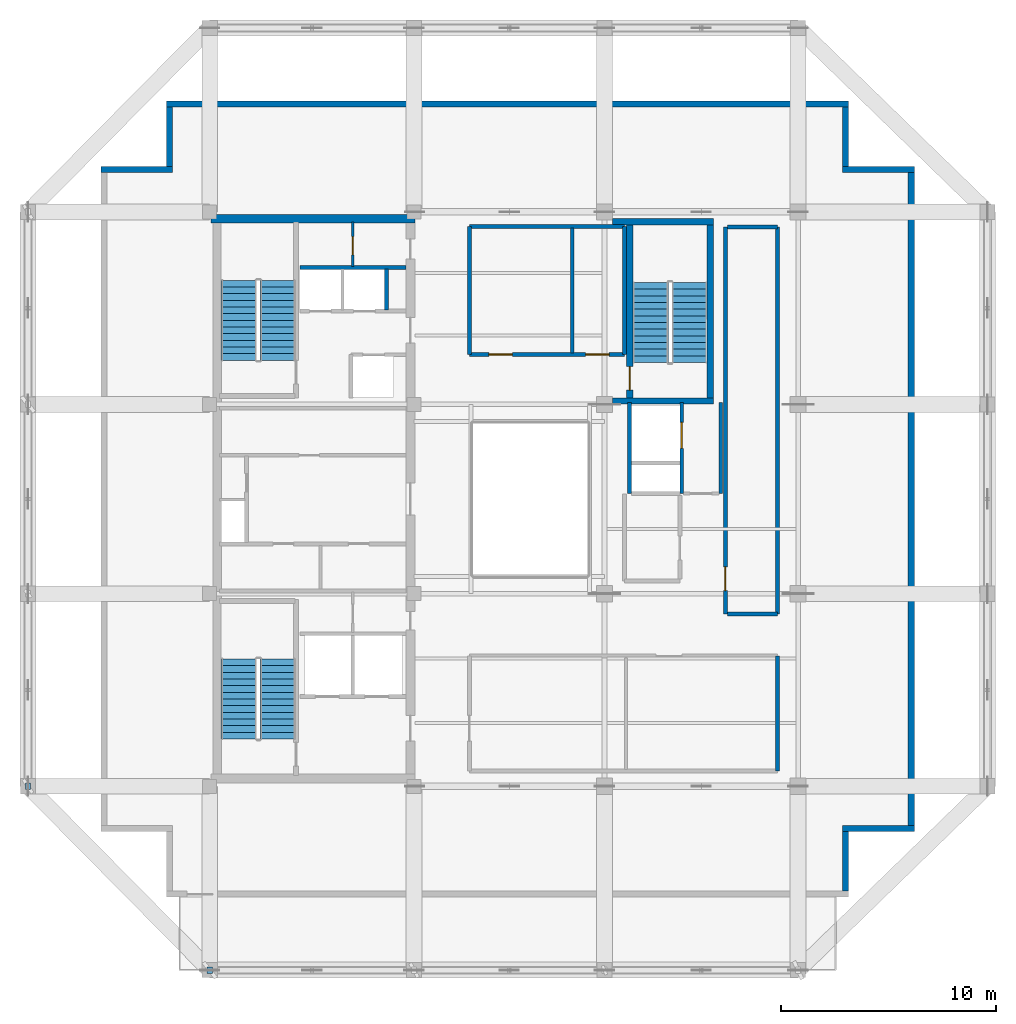
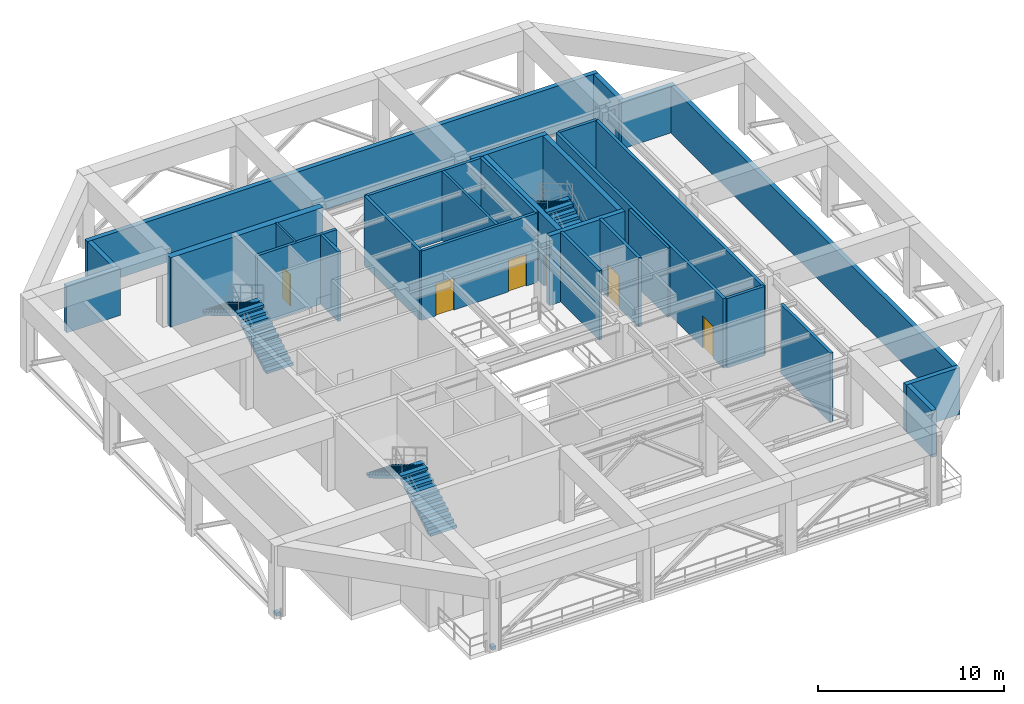
# One storey, part 5 of 10: 29 walls, 6 doors, 6 stair flights, 2 discrete accessories, 6 openings, 3 elements without a shape of their own.
"""IFC4 building model written with IfcOpenShell, lengths in metres."""

from ifc_helpers import new_model, si_unit, direction, frame, frame_2d, origin, origin_2d, place, context, subcontext, project, spatial, polyline, rectangle, outline, extrude, material, layer, layer_set, type_object, element, fill, aggregate, save


model = new_model("IFC4")

# Units and contexts
model_context = context("Model", 3, precision=1e-05, world=origin(), true_north=direction((0.0, 1.0)))
body_context = subcontext(model_context, "Body", "Model", "MODEL_VIEW")
ifc_project = project(units=[si_unit("LENGTHUNIT", "METRE"), si_unit("AREAUNIT", "SQUARE_METRE"), si_unit("VOLUMEUNIT", "CUBIC_METRE"), si_unit("PLANEANGLEUNIT", "RADIAN"), si_unit("MASSUNIT", "GRAM", prefix="KILO")], contexts=[model_context])

# Site, building, storey
site_placement = place(None, origin())
site = spatial("IfcSite", under=ifc_project, at=site_placement, CompositionType="ELEMENT")
building_placement = place(site_placement, origin())
building = spatial("IfcBuilding", under=site, at=building_placement, Name="Kundavana Baori Tower", CompositionType="ELEMENT")
storey_placement = place(building_placement, frame((0.0, 0.0, 307.699951171875)))
storey = spatial("IfcBuildingStorey", under=building, at=storey_placement, Name="L76", CompositionType="ELEMENT", Elevation=307.699951171875)

# Walls
ifc_material_1 = material(Name="Concrete C50/60", Category="concrete")
ifc_layer_1 = layer(ifc_material_1, 0.39990234375, Name="WL-CORE-400")
ifc_layer_set_1 = layer_set([ifc_layer_1], Name="Concrete C50/60")
wall_type_1 = type_object("IfcWallType", Name="WL-CORE-400", PredefinedType="SHEAR", material=ifc_layer_set_1)
wall_1_placement = place(storey_placement, frame((15.5, 41.639892578125, 0.0), z_axis=(0.0, 0.0, 1.0), x_axis=(1.0, 0.0, 0.0)))
element("IfcWall", 1, at=wall_1_placement, inside=storey, type_object=wall_type_1, Name="L76 Offset Core North Shear Wall", PredefinedType="SHEAR", context=body_context, shape_type="SweptSolid", body=[
    extrude(rectangle(XDim=9.47998046875, YDim=0.39990234375, at=frame_2d((4.739990234375, 0.0))), origin(), (0.0, 0.0, 1.0), 4.56005859375),
])
ifc_material_2 = material(Name="Red-Buff Dholpur Sandstone Cladding on Concrete C40/50", Category="masonry")
ifc_layer_2 = layer(ifc_material_2, 0.280029296875, Name="WL-EXT-SAND-280")
ifc_layer_set_2 = layer_set([ifc_layer_2], Name="Red-Buff Dholpur Sandstone Cladding on Concrete C40/50")
wall_type_2 = type_object("IfcWallType", Name="WL-EXT-SAND-280", PredefinedType="STANDARD", material=ifc_layer_set_2)
wall_2_placement = place(storey_placement, frame((45.010009765625, 10.3798828125, 0.0), z_axis=(0.0, 0.0, 1.0), x_axis=(0.0, 1.0, 0.0)))
element("IfcWall", 2, at=wall_2_placement, inside=storey, type_object=wall_type_2, Name="L76 Exterior Insulated Facade Wall 02", PredefinedType="STANDARD", context=body_context, shape_type="SweptSolid", body=[
    extrude(rectangle(XDim=2.77001953125, YDim=0.280029296875, at=frame_2d((1.385009765625, 0.0))), origin(), (0.0, 0.0, 1.0), 3.080078125),
])
wall_3_placement = place(storey_placement, frame((44.8701171875, 13.2900390625, 0.0), z_axis=(0.0, 0.0, 1.0), x_axis=(1.0, 0.0, 0.0)))
element("IfcWall", 3, at=wall_3_placement, inside=storey, type_object=wall_type_2, Name="L76 Exterior Insulated Facade Wall 03", PredefinedType="STANDARD", context=body_context, shape_type="SweptSolid", body=[
    extrude(rectangle(XDim=3.329833984375, YDim=0.280029296875, at=frame_2d((1.6650390625, 0.0))), origin(), (0.0, 0.0, 1.0), 3.080078125),
])
wall_4_placement = place(storey_placement, frame((48.06005859375, 13.429931640625, 0.0), z_axis=(0.0, 0.0, 1.0), x_axis=(0.0, 1.0, 0.0)))
element("IfcWall", 4, at=wall_4_placement, inside=storey, type_object=wall_type_2, Name="L76 Exterior Insulated Facade Wall 04", PredefinedType="STANDARD", context=body_context, shape_type="SweptSolid", body=[
    extrude(rectangle(XDim=30.340087890625, YDim=0.280029296875, at=frame_2d((15.169921875, 0.0))), origin(), (0.0, 0.0, 1.0), 3.080078125),
])
wall_5_placement = place(storey_placement, frame((48.199951171875, 43.909912109375, 0.0), z_axis=(0.0, 0.0, 1.0), x_axis=(-1.0, 0.0, 0.0)))
element("IfcWall", 5, at=wall_5_placement, inside=storey, type_object=wall_type_2, Name="L76 Exterior Insulated Facade Wall 05", PredefinedType="STANDARD", context=body_context, shape_type="SweptSolid", body=[
    extrude(rectangle(XDim=3.329833984375, YDim=0.280029296875, at=frame_2d((1.6650390625, 0.0))), origin(), (0.0, 0.0, 1.0), 3.080078125),
])
wall_6_placement = place(storey_placement, frame((45.010009765625, 44.050048828125, 0.0), z_axis=(0.0, 0.0, 1.0), x_axis=(0.0, 1.0, 0.0)))
element("IfcWall", 6, at=wall_6_placement, inside=storey, type_object=wall_type_2, Name="L76 Exterior Insulated Facade Wall 06", PredefinedType="STANDARD", context=body_context, shape_type="SweptSolid", body=[
    extrude(rectangle(XDim=2.77001953125, YDim=0.280029296875, at=frame_2d((1.385009765625, 0.0))), origin(), (0.0, 0.0, 1.0), 3.080078125),
])
wall_7_placement = place(storey_placement, frame((45.14990234375, 46.9599609375, 0.0), z_axis=(0.0, 0.0, 1.0), x_axis=(-1.0, 0.0, 0.0)))
element("IfcWall", 7, at=wall_7_placement, inside=storey, type_object=wall_type_2, Name="L76 Exterior Insulated Facade Wall 07", PredefinedType="STANDARD", context=body_context, shape_type="SweptSolid", body=[
    extrude(rectangle(XDim=31.699951171875, YDim=0.280029296875, at=frame_2d((15.85009765625, 0.0))), origin(), (0.0, 0.0, 1.0), 3.080078125),
])
wall_8_placement = place(storey_placement, frame((13.590087890625, 46.820068359375, 0.0), z_axis=(0.0, 0.0, 1.0), x_axis=(0.0, -1.0, 0.0)))
element("IfcWall", 8, at=wall_8_placement, inside=storey, type_object=wall_type_2, Name="L76 Exterior Insulated Facade Wall 08", PredefinedType="STANDARD", context=body_context, shape_type="SweptSolid", body=[
    extrude(rectangle(XDim=2.77001953125, YDim=0.280029296875, at=frame_2d((1.385009765625, 0.0))), origin(), (0.0, 0.0, 1.0), 3.080078125),
])
wall_9_placement = place(storey_placement, frame((13.72998046875, 43.909912109375, 0.0), z_axis=(0.0, 0.0, 1.0), x_axis=(-1.0, 0.0, 0.0)))
element("IfcWall", 9, at=wall_9_placement, inside=storey, type_object=wall_type_2, Name="L76 Exterior Insulated Facade Wall 09", PredefinedType="STANDARD", context=body_context, shape_type="SweptSolid", body=[
    extrude(rectangle(XDim=3.330078125, YDim=0.280029296875, at=frame_2d((1.6650390625, 0.0))), origin(), (0.0, 0.0, 1.0), 3.080078125),
])

# Wall, opening, door
ifc_material_3 = material(Name="Acoustic Gypsum Plasterboard on Galvanised Steel Studs", Category="steel")
ifc_layer_3 = layer(ifc_material_3, 0.1201171875, Name="WL-PART-120")
ifc_layer_set_3 = layer_set([ifc_layer_3], Name="Acoustic Gypsum Plasterboard on Galvanised Steel Studs")
wall_type_3 = type_object("IfcWallType", Name="WL-PART-120", PredefinedType="PARTITIONING", material=ifc_layer_set_3)
wall_10_placement = place(storey_placement, frame((22.10009765625, 39.39990234375, 0.0), z_axis=(0.0, 0.0, 1.0), x_axis=(0.0, 1.0, 0.0)))
wall_10 = element("IfcWall", 10, at=wall_10_placement, inside=storey, type_object=wall_type_3, Name="WL-L76-CSRV-D1", PredefinedType="PARTITIONING", context=body_context, shape_type="SweptSolid", body=[
    extrude(rectangle(XDim=2.080078125, YDim=0.1201171875, at=frame_2d((1.0400390625, 0.0))), origin(), (0.0, 0.0, 1.0), 4.56005859375),
])
opening_1_placement = place(wall_10_placement, frame((0.550048828125, 0.0, 0.0)))
opening_1 = element("IfcOpeningElement", 11, at=opening_1_placement, cuts=wall_10, Name="Opening FD-085", PredefinedType="OPENING", context=body_context, shape_type="SweptSolid", body=[
    extrude(rectangle(XDim=0.85009765625, YDim=2.06005859375, at=frame_2d((0.425048828125, 1.030029296875))), frame((0.0, 0.070068359375, 0.0), z_axis=(0.0, -1.0, 0.0), x_axis=(1.0, 0.0, 0.0)), (0.0, 0.0, 1.0), 0.14013671875),
])
ifc_material_4 = material(Name="Galvanised Steel Fire-Rated Door Leaf", Category="steel")
door_type_1 = type_object("IfcDoorType", Name="DR-FD60-850", OperationType="NOTDEFINED", PredefinedType="DOOR", material=ifc_material_4)
door_1_placement = place(opening_1_placement, origin())
door_1 = element("IfcDoor", 12, at=door_1_placement, inside=storey, type_object=door_type_1, Name="DR-L76-CSRV1", OperationType="SINGLE_SWING_LEFT", OverallHeight=2.06005859375, OverallWidth=0.85009765625, PredefinedType="DOOR", context=body_context, shape_type="SweptSolid", body=[
    extrude(rectangle(XDim=0.85009765625, YDim=2.06005859375, at=frame_2d((0.425048828125, 1.030029296875))), frame((0.0, 0.02490234375, 0.0), z_axis=(0.0, -1.0, 0.0), x_axis=(1.0, 0.0, 0.0)), (0.0, 0.0, 1.0), 0.050048828125),
])
fill(opening_1, door_1)

# Walls
ifc_material_5 = material(Name="Fire-Rated Gypsum Drywall on Galvanised Steel Studs", Category="steel")
ifc_layer_4 = layer(ifc_material_5, 0.14990234375, Name="WL-PART-150")
ifc_layer_set_4 = layer_set([ifc_layer_4], Name="Fire-Rated Gypsum Drywall on Galvanised Steel Studs")
wall_type_4 = type_object("IfcWallType", Name="WL-PART-150", PredefinedType="PARTITIONING", material=ifc_layer_set_4)
wall_11_placement = place(storey_placement, frame((39.199951171875, 28.860107421875, 0.0), z_axis=(0.0, 0.0, 1.0), x_axis=(0.0, 1.0, 0.0)))
element("IfcWall", 13, at=wall_11_placement, inside=storey, type_object=wall_type_4, Name="WL-L76-SVLOB-E", PredefinedType="PARTITIONING", context=body_context, shape_type="SweptSolid", body=[
    extrude(rectangle(XDim=4.219970703125, YDim=0.14990234375, at=frame_2d((2.10986328125, 0.0))), origin(), (0.0, 0.0, 1.0), 4.56005859375),
])
wall_12_placement = place(storey_placement, frame((32.300048828125, 35.39990234375, 0.0), z_axis=(0.0, 0.0, 1.0), x_axis=(0.0, 1.0, 0.0)))
element("IfcWall", 14, at=wall_12_placement, inside=storey, type_object=wall_type_4, Name="WL-L76-PLD2", PredefinedType="PARTITIONING", context=body_context, shape_type="SweptSolid", body=[
    extrude(rectangle(XDim=5.800048828125, YDim=0.14990234375, at=frame_2d((2.89990234375, 0.0))), origin(), (0.0, 0.0, 1.0), 4.56005859375),
])
ifc_material_6 = material(Name="Autoclaved Aerated Concrete Blockwork Masonry", Category="masonry")
ifc_layer_5 = layer(ifc_material_6, 0.18505859375, Name="WL-PART-180")
ifc_layer_set_5 = layer_set([ifc_layer_5], Name="Autoclaved Aerated Concrete Blockwork Masonry")
wall_type_5 = type_object("IfcWallType", Name="WL-PART-180", PredefinedType="SOLIDWALL", material=ifc_layer_set_5)
wall_13_placement = place(storey_placement, frame((41.85009765625, 15.949951171875, 0.0), z_axis=(0.0, 0.0, 1.0), x_axis=(0.0, 1.0, 0.0)))
element("IfcWall", 15, at=wall_13_placement, inside=storey, type_object=wall_type_5, Name="WL-L76-REF-E", PredefinedType="SOLIDWALL", context=body_context, shape_type="SweptSolid", body=[
    extrude(rectangle(XDim=5.35009765625, YDim=0.18505859375, at=frame_2d((2.675048828125, 0.0))), origin(), (0.0, 0.0, 1.0), 4.56005859375),
])

# Wall, opening, door
wall_14_placement = place(storey_placement, frame((39.419921875, 23.25, 0.0), z_axis=(0.0, 0.0, 1.0), x_axis=(0.0, 1.0, 0.0)))
wall_14 = element("IfcWall", 16, at=wall_14_placement, inside=storey, type_object=wall_type_5, Name="WL-L76-RNEW", PredefinedType="SOLIDWALL", context=body_context, shape_type="SweptSolid", body=[
    extrude(rectangle(XDim=18.0, YDim=0.18505859375, at=frame_2d((9.0, 0.0))), origin(), (0.0, 0.0, 1.0), 4.56005859375),
])
opening_2_placement = place(wall_14_placement, frame((1.10009765625, 0.0, 0.0)))
opening_2 = element("IfcOpeningElement", 17, at=opening_2_placement, cuts=wall_14, Name="Opening FD-110", PredefinedType="OPENING", context=body_context, shape_type="SweptSolid", body=[
    extrude(rectangle(XDim=1.10009765625, YDim=2.10009765625, at=frame_2d((0.550048828125, 1.050048828125))), frame((0.0, 0.1025390625, 0.0), z_axis=(0.0, -1.0, 0.0), x_axis=(1.0, 0.0, 0.0)), (0.0, 0.0, 1.0), 0.205078125),
])
ifc_material_7 = material(Name="Galvanised Steel Fire-Rated Door Leaf", Category="steel")
door_type_2 = type_object("IfcDoorType", Name="DR-FD120-1100", OperationType="NOTDEFINED", PredefinedType="DOOR", material=ifc_material_7)
door_2_placement = place(opening_2_placement, origin())
door_2 = element("IfcDoor", 18, at=door_2_placement, inside=storey, type_object=door_type_2, Name="DR-L76-REF3", OperationType="SINGLE_SWING_LEFT", OverallHeight=2.10009765625, OverallWidth=1.10009765625, PredefinedType="DOOR", context=body_context, shape_type="SweptSolid", body=[
    extrude(rectangle(XDim=1.10009765625, YDim=2.10009765625, at=frame_2d((0.550048828125, 1.050048828125))), frame((0.0, 0.02490234375, 0.0), z_axis=(0.0, -1.0, 0.0), x_axis=(1.0, 0.0, 0.0)), (0.0, 0.0, 1.0), 0.050048828125),
])
fill(opening_2, door_2)

# Walls
wall_15_placement = place(storey_placement, frame((39.52001953125, 23.25, 0.0), z_axis=(0.0, 0.0, 1.0), x_axis=(1.0, 0.0, 0.0)))
element("IfcWall", 19, at=wall_15_placement, inside=storey, type_object=wall_type_5, Name="WL-L76-RNES", PredefinedType="SOLIDWALL", context=body_context, shape_type="SweptSolid", body=[
    extrude(rectangle(XDim=2.330078125, YDim=0.18505859375, at=frame_2d((1.1650390625, 0.0))), origin(), (0.0, 0.0, 1.0), 4.56005859375),
])
wall_16_placement = place(storey_placement, frame((41.85009765625, 23.25, 0.0), z_axis=(0.0, 0.0, 1.0), x_axis=(0.0, 1.0, 0.0)))
element("IfcWall", 20, at=wall_16_placement, inside=storey, type_object=wall_type_5, Name="WL-L76-RNEE", PredefinedType="SOLIDWALL", context=body_context, shape_type="SweptSolid", body=[
    extrude(rectangle(XDim=18.0, YDim=0.18505859375, at=frame_2d((9.0, 0.0))), origin(), (0.0, 0.0, 1.0), 4.56005859375),
])
wall_17_placement = place(storey_placement, frame((39.52001953125, 41.25, 0.0), z_axis=(0.0, 0.0, 1.0), x_axis=(1.0, 0.0, 0.0)))
element("IfcWall", 21, at=wall_17_placement, inside=storey, type_object=wall_type_5, Name="WL-L76-RNEN", PredefinedType="SOLIDWALL", context=body_context, shape_type="SweptSolid", body=[
    extrude(rectangle(XDim=2.330078125, YDim=0.18505859375, at=frame_2d((1.1650390625, 0.0))), origin(), (0.0, 0.0, 1.0), 4.56005859375),
])

# Wall, openings, doors
wall_18_placement = place(storey_placement, frame((27.52001953125, 35.320068359375, 0.0), z_axis=(0.0, 0.0, 1.0), x_axis=(1.0, 0.0, 0.0)))
wall_18 = element("IfcWall", 22, at=wall_18_placement, inside=storey, type_object=wall_type_5, Name="WL-L76-PLN", PredefinedType="SOLIDWALL", context=body_context, shape_type="SweptSolid", body=[
    extrude(rectangle(XDim=7.199951171875, YDim=0.18505859375, at=frame_2d((3.60009765625, 0.0))), origin(), (0.0, 0.0, 1.0), 4.56005859375),
])
opening_3_placement = place(wall_18_placement, frame((0.89990234375, 0.0, 0.0)))
opening_3 = element("IfcOpeningElement", 23, at=opening_3_placement, cuts=wall_18, Name="Opening FD-110", PredefinedType="OPENING", context=body_context, shape_type="SweptSolid", body=[
    extrude(rectangle(XDim=1.10009765625, YDim=2.10009765625, at=frame_2d((0.550048828125, 1.050048828125))), frame((0.0, 0.1025390625, 0.0), z_axis=(0.0, -1.0, 0.0), x_axis=(1.0, 0.0, 0.0)), (0.0, 0.0, 1.0), 0.205078125),
])
opening_4_placement = place(wall_18_placement, frame((5.39990234375, 0.0, 0.0)))
opening_4 = element("IfcOpeningElement", 24, at=opening_4_placement, cuts=wall_18, Name="Opening FD-110", PredefinedType="OPENING", context=body_context, shape_type="SweptSolid", body=[
    extrude(rectangle(XDim=1.10009765625, YDim=2.10009765625, at=frame_2d((0.550048828125, 1.050048828125))), frame((0.0, 0.1025390625, 0.0), z_axis=(0.0, -1.0, 0.0), x_axis=(1.0, 0.0, 0.0)), (0.0, 0.0, 1.0), 0.205078125),
])
door_3_placement = place(opening_3_placement, origin())
door_3 = element("IfcDoor", 25, at=door_3_placement, inside=storey, type_object=door_type_2, Name="DR-L76-PL4", OperationType="SINGLE_SWING_RIGHT", OverallHeight=2.10009765625, OverallWidth=1.10009765625, PredefinedType="DOOR", context=body_context, shape_type="SweptSolid", body=[
    extrude(rectangle(XDim=1.10009765625, YDim=2.10009765625, at=frame_2d((0.550048828125, 1.050048828125))), frame((0.0, 0.02490234375, 0.0), z_axis=(0.0, -1.0, 0.0), x_axis=(1.0, 0.0, 0.0)), (0.0, 0.0, 1.0), 0.050048828125),
])
fill(opening_3, door_3)
door_4_placement = place(opening_4_placement, origin())
door_4 = element("IfcDoor", 26, at=door_4_placement, inside=storey, type_object=door_type_2, Name="DR-L76-PL5", OperationType="SINGLE_SWING_LEFT", OverallHeight=2.10009765625, OverallWidth=1.10009765625, PredefinedType="DOOR", context=body_context, shape_type="SweptSolid", body=[
    extrude(rectangle(XDim=1.10009765625, YDim=2.10009765625, at=frame_2d((0.550048828125, 1.050048828125))), frame((0.0, 0.02490234375, 0.0), z_axis=(0.0, -1.0, 0.0), x_axis=(1.0, 0.0, 0.0)), (0.0, 0.0, 1.0), 0.050048828125),
])
fill(opening_4, door_4)

# Walls
wall_19_placement = place(storey_placement, frame((27.52001953125, 41.280029296875, 0.0), z_axis=(0.0, 0.0, 1.0), x_axis=(1.0, 0.0, 0.0)))
element("IfcWall", 27, at=wall_19_placement, inside=storey, type_object=wall_type_5, Name="WL-L76-PLNT", PredefinedType="SOLIDWALL", context=body_context, shape_type="SweptSolid", body=[
    extrude(rectangle(XDim=7.199951171875, YDim=0.18505859375, at=frame_2d((3.60009765625, 0.0))), origin(), (0.0, 0.0, 1.0), 4.56005859375),
])
for number, where, z_axis, x_axis, name in (
    (28, (27.52001953125, 35.320068359375, 0.0), (0.0, 0.0, 1.0), (0.0, 1.0, 0.0), "WL-L76-PLNW"),
    (29, (34.719970703125, 35.320068359375, 0.0), (0.0, 0.0, 1.0), (0.0, 1.0, 0.0), "WL-L76-PLNE"),
):
    element("IfcWall", number, at=place(storey_placement, frame(where, z_axis=z_axis, x_axis=x_axis)), inside=storey, type_object=wall_type_5, Name=name, PredefinedType="SOLIDWALL", context=body_context, shape_type="SweptSolid", body=[
        extrude(rectangle(XDim=5.9599609375, YDim=0.18505859375, at=frame_2d((2.97998046875, 0.0))), origin(), (0.0, 0.0, 1.0), 4.56005859375),
    ])
ifc_material_8 = material(Name="Autoclaved Aerated Concrete Blockwork Masonry", Category="masonry")
ifc_layer_6 = layer(ifc_material_8, 0.179931640625, Name="WL-SHAFT-180")
ifc_layer_set_6 = layer_set([ifc_layer_6], Name="Autoclaved Aerated Concrete Blockwork Masonry")
wall_type_6 = type_object("IfcWallType", Name="WL-SHAFT-180", PredefinedType="SOLIDWALL", material=ifc_layer_set_6)
wall_20_placement = place(storey_placement, frame((19.639892578125, 39.360107421875, 0.0), z_axis=(0.0, 0.0, 1.0), x_axis=(1.0, 0.0, 0.0)))
element("IfcWall", 30, at=wall_20_placement, inside=storey, type_object=wall_type_6, Name="WL-L76-HRLOB-TOP", PredefinedType="SOLIDWALL", context=body_context, shape_type="SweptSolid", body=[
    extrude(rectangle(XDim=4.940185546875, YDim=0.179931640625, at=frame_2d((2.47021484375, 0.0))), origin(), (0.0, 0.0, 1.0), 4.56005859375),
])
wall_21_placement = place(storey_placement, frame((23.659912109375, 37.39990234375, 0.0), z_axis=(0.0, 0.0, 1.0), x_axis=(0.0, 1.0, 0.0)))
element("IfcWall", 31, at=wall_21_placement, inside=storey, type_object=wall_type_6, Name="WL-L76-HR-DIV2", PredefinedType="SOLIDWALL", context=body_context, shape_type="SweptSolid", body=[
    extrude(rectangle(XDim=1.900146484375, YDim=0.179931640625, at=frame_2d((0.9501953125, 0.0))), origin(), (0.0, 0.0, 1.0), 4.56005859375),
])
wall_22_placement = place(storey_placement, frame((34.9599609375, 28.860107421875, 0.0), z_axis=(0.0, 0.0, 1.0), x_axis=(0.0, 1.0, 0.0)))
element("IfcWall", 32, at=wall_22_placement, inside=storey, type_object=wall_type_6, Name="WL-L76-SVL-W", PredefinedType="SOLIDWALL", context=body_context, shape_type="SweptSolid", body=[
    extrude(rectangle(XDim=4.219970703125, YDim=0.179931640625, at=frame_2d((2.10986328125, 0.0))), origin(), (0.0, 0.0, 1.0), 4.56005859375),
])

# Wall, opening, door
wall_23_placement = place(storey_placement, frame((37.389892578125, 28.860107421875, 0.0), z_axis=(0.0, 0.0, 1.0), x_axis=(0.0, 1.0, 0.0)))
wall_23 = element("IfcWall", 33, at=wall_23_placement, inside=storey, type_object=wall_type_6, Name="WL-L76-SVL-E", PredefinedType="SOLIDWALL", context=body_context, shape_type="SweptSolid", body=[
    extrude(rectangle(XDim=4.219970703125, YDim=0.179931640625, at=frame_2d((2.10986328125, 0.0))), origin(), (0.0, 0.0, 1.0), 4.56005859375),
])
opening_5_placement = place(wall_23_placement, frame((2.10009765625, 0.0, 0.0)))
opening_5 = element("IfcOpeningElement", 34, at=opening_5_placement, cuts=wall_23, Name="Opening LD-120", PredefinedType="OPENING", context=body_context, shape_type="SweptSolid", body=[
    extrude(rectangle(XDim=1.199951171875, YDim=2.1201171875, at=frame_2d((0.60009765625, 1.06005859375))), frame((0.0, 0.10009765625, 0.0), z_axis=(0.0, -1.0, 0.0), x_axis=(1.0, 0.0, 0.0)), (0.0, 0.0, 1.0), 0.199951171875),
])
ifc_material_9 = material(Name="Galvanised Steel Fire-Rated Door Leaf", Category="steel")
door_type_3 = type_object("IfcDoorType", Name="DR-SLIDE-LD1200", OperationType="NOTDEFINED", PredefinedType="DOOR", material=ifc_material_9)
door_5_placement = place(opening_5_placement, frame((1.199951171875, 0.0, 0.0), z_axis=(0.0, 0.0, 1.0), x_axis=(-1.0, 0.0, 0.0)))
door_5 = element("IfcDoor", 35, at=door_5_placement, inside=storey, type_object=door_type_3, Name="DR-L76-LD-SVL1", OperationType="DOUBLE_DOOR_SLIDING", OverallHeight=2.1201171875, OverallWidth=1.199951171875, PredefinedType="DOOR", context=body_context, shape_type="SweptSolid", body=[
    extrude(rectangle(XDim=1.199951171875, YDim=2.1201171875, at=frame_2d((0.60009765625, 1.06005859375))), frame((0.0, 0.02490234375, 0.0), z_axis=(0.0, -1.0, 0.0), x_axis=(1.0, 0.0, 0.0)), (0.0, 0.0, 1.0), 0.050048828125),
])
fill(opening_5, door_5)

# Walls
ifc_material_10 = material(Name="Concrete C50/60", Category="concrete")
ifc_layer_7 = layer(ifc_material_10, 0.300048828125, Name="WL-ST3-300")
ifc_layer_set_7 = layer_set([ifc_layer_7], Name="Concrete C50/60")
wall_type_7 = type_object("IfcWallType", Name="WL-ST3-300", PredefinedType="SHEAR", material=ifc_layer_set_7)
for number, where, z_axis, x_axis, name in (
    (36, (34.175048828125, 33.159912109375, 0.0), (0.0, 0.0, 1.0), (1.0, 0.0, 0.0), "L76 Stair ST3 South Shear Wall"),
    (37, (34.175048828125, 41.489990234375, 0.0), (0.0, 0.0, 1.0), (1.0, 0.0, 0.0), "L76 Stair ST3 North Shear Wall"),
):
    element("IfcWall", number, at=place(storey_placement, frame(where, z_axis=z_axis, x_axis=x_axis)), inside=storey, type_object=wall_type_7, Name=name, PredefinedType="SHEAR", context=body_context, shape_type="SweptSolid", body=[
        extrude(rectangle(XDim=4.695068359375, YDim=0.300048828125, at=frame_2d((2.34765625, 0.0))), origin(), (0.0, 0.0, 1.0), 4.56005859375),
    ])

# Wall, opening, door
wall_24_placement = place(storey_placement, frame((34.97998046875, 33.31005859375, 0.0), z_axis=(0.0, 0.0, 1.0), x_axis=(0.0, 1.0, 0.0)))
wall_24 = element("IfcWall", 38, at=wall_24_placement, inside=storey, type_object=wall_type_7, Name="L76 Stair ST3 West Shear Wall", PredefinedType="SHEAR", context=body_context, shape_type="SweptSolid", body=[
    extrude(rectangle(XDim=8.030029296875, YDim=0.300048828125, at=frame_2d((4.01513671875, 0.0))), origin(), (0.0, 0.0, 1.0), 4.56005859375),
])
opening_6_placement = place(wall_24_placement, frame((0.35009765625, 0.0, 0.0)))
opening_6 = element("IfcOpeningElement", 39, at=opening_6_placement, cuts=wall_24, Name="Opening FD-110", PredefinedType="OPENING", context=body_context, shape_type="SweptSolid", body=[
    extrude(rectangle(XDim=1.10009765625, YDim=2.10009765625, at=frame_2d((0.550048828125, 1.050048828125))), frame((0.0, 0.16015625, 0.0), z_axis=(0.0, -1.0, 0.0), x_axis=(1.0, 0.0, 0.0)), (0.0, 0.0, 1.0), 0.320068359375),
])
door_6_placement = place(opening_6_placement, origin())
door_6 = element("IfcDoor", 40, at=door_6_placement, inside=storey, type_object=door_type_2, Name="DR-L76-ST3-W", OperationType="SINGLE_SWING_LEFT", OverallHeight=2.10009765625, OverallWidth=1.10009765625, PredefinedType="DOOR", context=body_context, shape_type="SweptSolid", body=[
    extrude(rectangle(XDim=1.10009765625, YDim=2.10009765625, at=frame_2d((0.550048828125, 1.050048828125))), frame((0.0, 0.02490234375, 0.0), z_axis=(0.0, -1.0, 0.0), x_axis=(1.0, 0.0, 0.0)), (0.0, 0.0, 1.0), 0.050048828125),
])
fill(opening_6, door_6)

# Wall
wall_25_placement = place(storey_placement, frame((38.719970703125, 33.31005859375, 0.0), z_axis=(0.0, 0.0, 1.0), x_axis=(0.0, 1.0, 0.0)))
element("IfcWall", 41, at=wall_25_placement, inside=storey, type_object=wall_type_7, Name="L76 Stair ST3 East Shear Wall", PredefinedType="SHEAR", context=body_context, shape_type="SweptSolid", body=[
    extrude(rectangle(XDim=8.030029296875, YDim=0.300048828125, at=frame_2d((4.01513671875, 0.0))), origin(), (0.0, 0.0, 1.0), 4.56005859375),
])

# Stair, stair flights
ifc_material_11 = material(Name="Concrete C40/50", Category="concrete")
stair_type = type_object("IfcStairType", Name="STR-DOG-1650", PredefinedType="HALF_TURN_STAIR", material=ifc_material_11)
stair_1_placement = place(storey_placement, origin())
stair_1 = element("IfcStair", 42, at=stair_1_placement, inside=storey, type_object=stair_type, Name="L76 Protected Exit Stair ST1", PredefinedType="HALF_TURN_STAIR")
ifc_material_12 = material(Name="Concrete C40/50", Category="concrete")
stair_flight_type = type_object("IfcStairFlightType", Name="SFL-RC-1650", PredefinedType="STRAIGHT", material=ifc_material_12)
stair_flight_1_placement = place(storey_placement, frame((18.614990234375, 17.449951171875, 0.0), z_axis=(0.0, 0.0, 1.0), x_axis=(0.0, 1.0, 0.0)))
stair_flight_1 = element("IfcStairFlight", 43, at=stair_flight_1_placement, type_object=stair_flight_type, Name="ST1 flight 1", NumberOfRisers=13, NumberOfTreads=12, PredefinedType="STRAIGHT", RiserHeight=0.184615385, TreadLength=0.31, context=body_context, shape_type="SweptSolid", body=[
    extrude(outline(polyline([(0.0, 0.0), (0.0, 0.1845703125), (0.31005859375, 0.1845703125), (0.31005859375, 0.369140625), (0.6201171875, 0.369140625), (0.6201171875, 0.553955078125), (0.929931640625, 0.553955078125), (0.929931640625, 0.738525390625), (1.239990234375, 0.738525390625), (1.239990234375, 0.923095703125), (1.550048828125, 0.923095703125), (1.550048828125, 1.107666015625), (1.860107421875, 1.107666015625), (1.860107421875, 1.292236328125), (2.169921875, 1.292236328125), (2.169921875, 1.476806640625), (2.47998046875, 1.476806640625), (2.47998046875, 1.66162109375), (2.7900390625, 1.66162109375), (2.7900390625, 1.84619140625), (3.10009765625, 1.84619140625), (3.10009765625, 2.03076171875), (3.409912109375, 2.03076171875), (3.409912109375, 2.21533203125), (3.719970703125, 2.21533203125), (3.719970703125, 2.39990234375), (3.719970703125, 2.041015625), (0.29296875, 0.0), (0.0, 0.0)])), frame((0.0, 0.824951171875, 0.0), z_axis=(0.0, -1.0, 0.0), x_axis=(1.0, 0.0, 0.0)), (0.0, 0.0, 1.0), 1.64990234375),
])
stair_flight_2_placement = place(storey_placement, frame((16.804931640625, 21.169921875, 2.400146484375), z_axis=(0.0, 0.0, 1.0), x_axis=(0.0, -1.0, 0.0)))
stair_flight_2 = element("IfcStairFlight", 44, at=stair_flight_2_placement, type_object=stair_flight_type, Name="ST1 flight 2", NumberOfRisers=13, NumberOfTreads=12, PredefinedType="STRAIGHT", RiserHeight=0.184615385, TreadLength=0.31, context=body_context, shape_type="SweptSolid", body=[
    extrude(outline(polyline([(0.0, 0.0), (0.0, 0.1845703125), (0.31005859375, 0.1845703125), (0.31005859375, 0.369140625), (0.6201171875, 0.369140625), (0.6201171875, 0.553955078125), (0.929931640625, 0.553955078125), (0.929931640625, 0.738525390625), (1.239990234375, 0.738525390625), (1.239990234375, 0.923095703125), (1.550048828125, 0.923095703125), (1.550048828125, 1.107666015625), (1.860107421875, 1.107666015625), (1.860107421875, 1.292236328125), (2.169921875, 1.292236328125), (2.169921875, 1.476806640625), (2.47998046875, 1.476806640625), (2.47998046875, 1.66162109375), (2.7900390625, 1.66162109375), (2.7900390625, 1.84619140625), (3.10009765625, 1.84619140625), (3.10009765625, 2.03076171875), (3.409912109375, 2.03076171875), (3.409912109375, 2.21533203125), (3.719970703125, 2.21533203125), (3.719970703125, 2.39990234375), (3.719970703125, 2.041015625), (0.29296875, 0.0), (0.0, 0.0)])), frame((0.0, 0.824951171875, 0.0), z_axis=(0.0, -1.0, 0.0), x_axis=(1.0, 0.0, 0.0)), (0.0, 0.0, 1.0), 1.64990234375),
])
aggregate(stair_1, [stair_flight_1, stair_flight_2])

stair_2_placement = place(storey_placement, origin())
stair_2 = element("IfcStair", 45, at=stair_2_placement, inside=storey, type_object=stair_type, Name="L76 Protected Exit Stair ST2", PredefinedType="HALF_TURN_STAIR")
stair_flight_3_placement = place(storey_placement, frame((18.614990234375, 35.050048828125, 0.0), z_axis=(0.0, 0.0, 1.0), x_axis=(0.0, 1.0, 0.0)))
stair_flight_3 = element("IfcStairFlight", 46, at=stair_flight_3_placement, type_object=stair_flight_type, Name="ST2 flight 1", NumberOfRisers=13, NumberOfTreads=12, PredefinedType="STRAIGHT", RiserHeight=0.184615385, TreadLength=0.31, context=body_context, shape_type="SweptSolid", body=[
    extrude(outline(polyline([(0.0, 0.0), (0.0, 0.1845703125), (0.31005859375, 0.1845703125), (0.31005859375, 0.369140625), (0.6201171875, 0.369140625), (0.6201171875, 0.553955078125), (0.929931640625, 0.553955078125), (0.929931640625, 0.738525390625), (1.239990234375, 0.738525390625), (1.239990234375, 0.923095703125), (1.550048828125, 0.923095703125), (1.550048828125, 1.107666015625), (1.860107421875, 1.107666015625), (1.860107421875, 1.292236328125), (2.169921875, 1.292236328125), (2.169921875, 1.476806640625), (2.47998046875, 1.476806640625), (2.47998046875, 1.66162109375), (2.7900390625, 1.66162109375), (2.7900390625, 1.84619140625), (3.10009765625, 1.84619140625), (3.10009765625, 2.03076171875), (3.409912109375, 2.03076171875), (3.409912109375, 2.21533203125), (3.719970703125, 2.21533203125), (3.719970703125, 2.39990234375), (3.719970703125, 2.041015625), (0.29296875, 0.0), (0.0, 0.0)])), frame((0.0, 0.824951171875, 0.0), z_axis=(0.0, -1.0, 0.0), x_axis=(1.0, 0.0, 0.0)), (0.0, 0.0, 1.0), 1.64990234375),
])
stair_flight_4_placement = place(storey_placement, frame((16.804931640625, 38.77001953125, 2.400146484375), z_axis=(0.0, 0.0, 1.0), x_axis=(0.0, -1.0, 0.0)))
stair_flight_4 = element("IfcStairFlight", 47, at=stair_flight_4_placement, type_object=stair_flight_type, Name="ST2 flight 2", NumberOfRisers=13, NumberOfTreads=12, PredefinedType="STRAIGHT", RiserHeight=0.184615385, TreadLength=0.31, context=body_context, shape_type="SweptSolid", body=[
    extrude(outline(polyline([(0.0, 0.0), (0.0, 0.1845703125), (0.31005859375, 0.1845703125), (0.31005859375, 0.369140625), (0.6201171875, 0.369140625), (0.6201171875, 0.553955078125), (0.929931640625, 0.553955078125), (0.929931640625, 0.738525390625), (1.239990234375, 0.738525390625), (1.239990234375, 0.923095703125), (1.550048828125, 0.923095703125), (1.550048828125, 1.107666015625), (1.860107421875, 1.107666015625), (1.860107421875, 1.292236328125), (2.169921875, 1.292236328125), (2.169921875, 1.476806640625), (2.47998046875, 1.476806640625), (2.47998046875, 1.66162109375), (2.7900390625, 1.66162109375), (2.7900390625, 1.84619140625), (3.10009765625, 1.84619140625), (3.10009765625, 2.03076171875), (3.409912109375, 2.03076171875), (3.409912109375, 2.21533203125), (3.719970703125, 2.21533203125), (3.719970703125, 2.39990234375), (3.719970703125, 2.041015625), (0.29296875, 0.0), (0.0, 0.0)])), frame((0.0, 0.824951171875, 0.0), z_axis=(0.0, -1.0, 0.0), x_axis=(1.0, 0.0, 0.0)), (0.0, 0.0, 1.0), 1.64990234375),
])
aggregate(stair_2, [stair_flight_3, stair_flight_4])

stair_3_placement = place(storey_placement, origin())
stair_3 = element("IfcStair", 48, at=stair_3_placement, inside=storey, type_object=stair_type, Name="L76 Protected Exit Stair ST3", PredefinedType="HALF_TURN_STAIR")
stair_flight_5_placement = place(storey_placement, frame((37.7548828125, 34.949951171875, 0.0), z_axis=(0.0, 0.0, 1.0), x_axis=(0.0, 1.0, 0.0)))
stair_flight_5 = element("IfcStairFlight", 49, at=stair_flight_5_placement, type_object=stair_flight_type, Name="ST3 flight 1", NumberOfRisers=13, NumberOfTreads=12, PredefinedType="STRAIGHT", RiserHeight=0.184615385, TreadLength=0.31, context=body_context, shape_type="SweptSolid", body=[
    extrude(outline(polyline([(0.0, 0.0), (0.0, 0.1845703125), (0.31005859375, 0.1845703125), (0.31005859375, 0.369140625), (0.6201171875, 0.369140625), (0.6201171875, 0.553955078125), (0.929931640625, 0.553955078125), (0.929931640625, 0.738525390625), (1.239990234375, 0.738525390625), (1.239990234375, 0.923095703125), (1.550048828125, 0.923095703125), (1.550048828125, 1.107666015625), (1.860107421875, 1.107666015625), (1.860107421875, 1.292236328125), (2.169921875, 1.292236328125), (2.169921875, 1.476806640625), (2.47998046875, 1.476806640625), (2.47998046875, 1.66162109375), (2.7900390625, 1.66162109375), (2.7900390625, 1.84619140625), (3.10009765625, 1.84619140625), (3.10009765625, 2.03076171875), (3.409912109375, 2.03076171875), (3.409912109375, 2.21533203125), (3.719970703125, 2.21533203125), (3.719970703125, 2.39990234375), (3.719970703125, 2.041015625), (0.29296875, 0.0), (0.0, 0.0)])), frame((0.0, 0.824951171875, 0.0), z_axis=(0.0, -1.0, 0.0), x_axis=(1.0, 0.0, 0.0)), (0.0, 0.0, 1.0), 1.64990234375),
])
stair_flight_6_placement = place(storey_placement, frame((35.945068359375, 38.669921875, 2.400146484375), z_axis=(0.0, 0.0, 1.0), x_axis=(0.0, -1.0, 0.0)))
stair_flight_6 = element("IfcStairFlight", 50, at=stair_flight_6_placement, type_object=stair_flight_type, Name="ST3 flight 2", NumberOfRisers=13, NumberOfTreads=12, PredefinedType="STRAIGHT", RiserHeight=0.184615385, TreadLength=0.31, context=body_context, shape_type="SweptSolid", body=[
    extrude(outline(polyline([(0.0, 0.0), (0.0, 0.1845703125), (0.31005859375, 0.1845703125), (0.31005859375, 0.369140625), (0.6201171875, 0.369140625), (0.6201171875, 0.553955078125), (0.929931640625, 0.553955078125), (0.929931640625, 0.738525390625), (1.239990234375, 0.738525390625), (1.239990234375, 0.923095703125), (1.550048828125, 0.923095703125), (1.550048828125, 1.107666015625), (1.860107421875, 1.107666015625), (1.860107421875, 1.292236328125), (2.169921875, 1.292236328125), (2.169921875, 1.476806640625), (2.47998046875, 1.476806640625), (2.47998046875, 1.66162109375), (2.7900390625, 1.66162109375), (2.7900390625, 1.84619140625), (3.10009765625, 1.84619140625), (3.10009765625, 2.03076171875), (3.409912109375, 2.03076171875), (3.409912109375, 2.21533203125), (3.719970703125, 2.21533203125), (3.719970703125, 2.39990234375), (3.719970703125, 2.041015625), (0.29296875, 0.0), (0.0, 0.0)])), frame((0.0, 0.824951171875, 0.0), z_axis=(0.0, -1.0, 0.0), x_axis=(1.0, 0.0, 0.0)), (0.0, 0.0, 1.0), 1.64990234375),
])
aggregate(stair_3, [stair_flight_5, stair_flight_6])

# Discrete accessories
ifc_material_13 = material(Name="Structural Steel S355JR", Category="steel")
discrete_accessory_type = type_object("IfcDiscreteAccessoryType", Name="ACC-BRK-FIN", PredefinedType="BRACKET", material=ifc_material_13)
for number, where, z_axis, x_axis, name in (
    (51, (15.449951171875, 6.699951171875, 0.0), (0.0, 0.0, 1.0), (1.0, 0.0, 0.0), "L76 Stainless Fin Anchor Bracket 1"),
    (52, (7.0, 15.25, 0.0), (0.0, 0.0, 1.0), (1.0, 0.0, 0.0), "L76 Stainless Fin Anchor Bracket 5"),
):
    element("IfcDiscreteAccessory", number, at=place(storey_placement, frame(where, z_axis=z_axis, x_axis=x_axis)), inside=storey, type_object=discrete_accessory_type, Name=name, PredefinedType="BRACKET", context=body_context, shape_type="SweptSolid", body=[
        extrude(rectangle(XDim=0.239990234375, YDim=0.300048828125, at=origin_2d()), origin(), (0.0, 0.0, 1.0), 0.219970703125),
    ])

save(model, "model.ifc")
